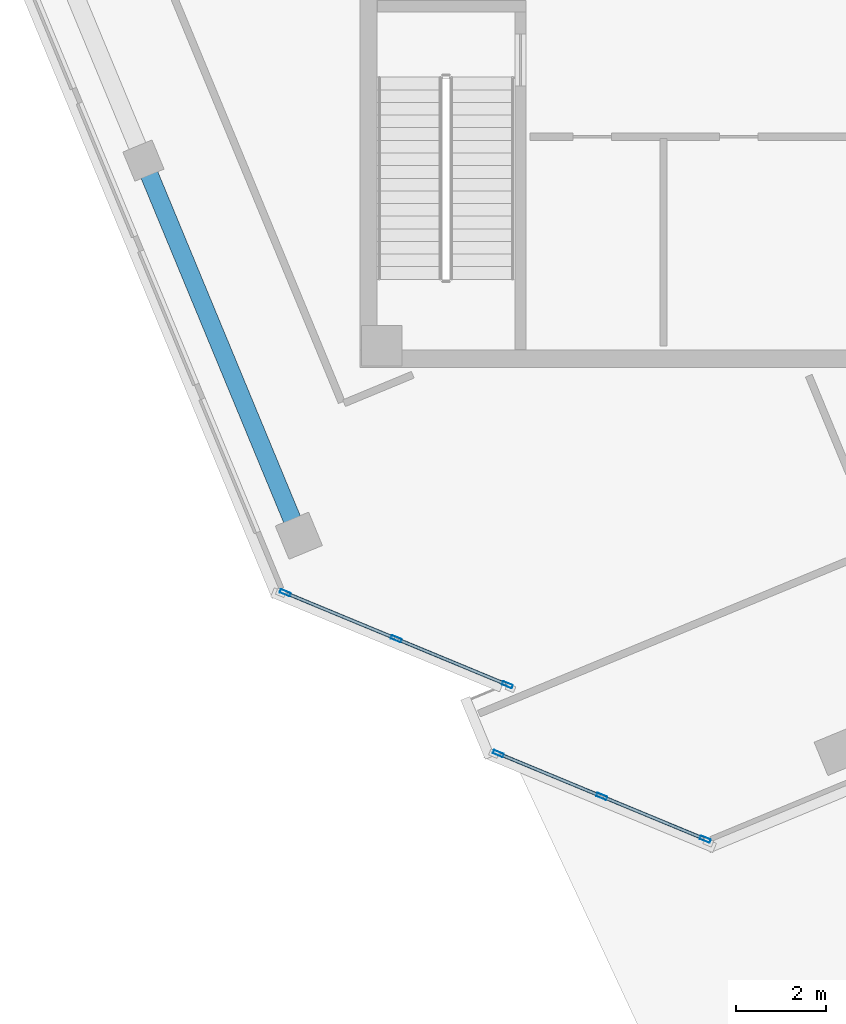
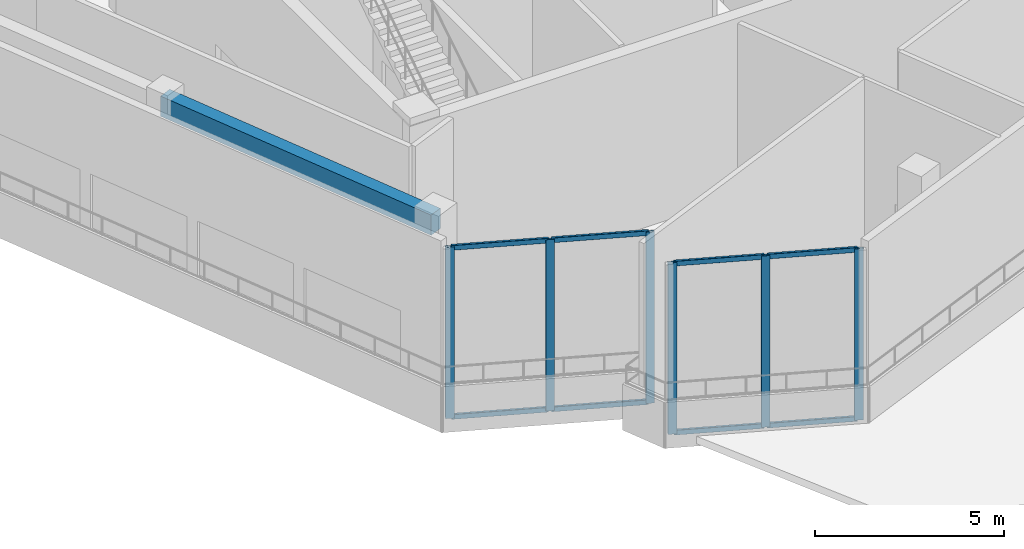
# One storey, part 2 of 16: 14 members, 1 beam, 2 elements without a shape of their own.
"""IFC4 building model written with IfcOpenShell, lengths in metres."""

from ifc_helpers import new_model, si_unit, direction, frame, origin, origin_2d, place, context, subcontext, project, spatial, rectangle, hollow_rectangle, extrude, source, transform, mapped, material, material_profile, profile_set, type_object, element, aggregate, save


model = new_model("IFC4")

# Units and contexts
model_context = context("Model", 3, precision=1e-05, world=origin(), true_north=direction((0.0, 1.0)))
body_context = subcontext(model_context, "Body", "Model", "MODEL_VIEW")
ifc_project = project(units=[si_unit("LENGTHUNIT", "METRE"), si_unit("AREAUNIT", "SQUARE_METRE"), si_unit("VOLUMEUNIT", "CUBIC_METRE"), si_unit("PLANEANGLEUNIT", "RADIAN"), si_unit("MASSUNIT", "GRAM", prefix="KILO")], contexts=[model_context])

# Site, building, storey
site_placement = place(None, origin())
site = spatial("IfcSite", under=ifc_project, at=site_placement, CompositionType="ELEMENT")
building_placement = place(site_placement, origin())
building = spatial("IfcBuilding", under=site, at=building_placement, Name="Torre Montelarca", CompositionType="ELEMENT")
storey_placement = place(building_placement, frame((0.0, 0.0, 349.199951171875)))
storey = spatial("IfcBuildingStorey", under=building, at=storey_placement, Name="L79", CompositionType="ELEMENT", Elevation=349.199951171875)

# Beam
ifc_material_1 = material(Name="Concrete C40/50", Category="concrete")
ifc_material_profile_1 = material_profile(ifc_material_1, rectangle(XDim=0.39990234375, YDim=0.64990234375, at=origin_2d()), Name="RCB400X650", Category="concrete")
ifc_profile_set_1 = profile_set([ifc_material_profile_1], Name="Concrete C40/50")
beam_type = type_object("IfcBeamType", Name="BM-SP-RC650-EXT", PredefinedType="SPANDREL", material=ifc_profile_set_1)
shared_shape_1 = source(origin(), body_context, "Body", "SweptSolid", [
    extrude(rectangle(XDim=0.39990234375, YDim=0.64990234375, at=origin_2d()), origin(), (0.0, 0.0, 1.0), 9.0),
])
beam_placement = place(storey_placement, frame((4.27001953125, 28.6513671875, 5.43505859375), z_axis=(0.382676821686, -0.923882270716, 0.0), x_axis=(0.923882270716, 0.382676821686, 0.0)))
element("IfcBeam", 1, at=beam_placement, inside=storey, type_object=beam_type, Name="L79 Grid Girder X 18.0-27.0 at Y=14.8", PredefinedType="SPANDREL", context=body_context, shape_type="MappedRepresentation", body=[
    mapped(shared_shape_1, transform((0.0, 0.0, 0.0), scale=1.0)),
])

# Curtain wall, members
ifc_material_2 = material(Name="Amber translucent laminated glass", Category="glass")
curtain_wall_type = type_object("IfcCurtainWallType", Name="CW-SYS-LANT", PredefinedType="USERDEFINED", material=ifc_material_2)
curtain_wall_1_placement = place(storey_placement, origin())
curtain_wall_1 = element("IfcCurtainWall", 2, at=curtain_wall_1_placement, inside=storey, type_object=curtain_wall_type, Name="L79 Curtain Wall Run CW-T3-L79-E02-B1", ObjectType="TRANSLUCENT LANTERN", PredefinedType="USERDEFINED")
ifc_material_3 = material(Name="Anodised aluminium AA 6063-T6", Category="aluminium")
ifc_material_profile_2 = material_profile(ifc_material_3, hollow_rectangle(XDim=0.080078125, YDim=0.239990234375, WallThickness=0.0048828125, InnerFilletRadius=0.0048828125, OuterFilletRadius=0.010009765625, at=origin_2d()), Name="ALU80X240X5", Category="aluminium")
ifc_profile_set_2 = profile_set([ifc_material_profile_2], Name="Anodised aluminium AA 6063-T6")
member_type_1 = type_object("IfcMemberType", Name="CWM-ALU240", PredefinedType="MULLION", material=ifc_profile_set_2)
shared_shape_2 = source(origin(), body_context, "Body", "SweptSolid", [
    extrude(hollow_rectangle(XDim=0.080078125, YDim=0.239990234375, WallThickness=0.0048828125, InnerFilletRadius=0.0048828125, OuterFilletRadius=0.010009765625, at=origin_2d()), origin(), (0.0, 0.0, 1.0), 5.52001953125),
])
member_1_placement = place(storey_placement, frame((7.412841796875, 19.0712890625, 0.0), z_axis=(0.0, 0.0, 1.0), x_axis=(0.382664147931, 0.923887520149, 0.0)))
member_1 = element("IfcMember", 3, at=member_1_placement, type_object=member_type_1, Name="CW mullion 1", PredefinedType="MULLION", context=body_context, shape_type="MappedRepresentation", body=[
    mapped(shared_shape_2, transform((0.0, 0.0, 0.0), scale=1.0)),
])
member_2_placement = place(storey_placement, frame((9.875, 18.051513671875, 0.0), z_axis=(0.0, 0.0, 1.0), x_axis=(0.382664147931, 0.923887520149, 0.0)))
member_2 = element("IfcMember", 4, at=member_2_placement, type_object=member_type_1, Name="CW mullion 2", PredefinedType="MULLION", context=body_context, shape_type="MappedRepresentation", body=[
    mapped(shared_shape_2, transform((0.0, 0.0, 0.0), scale=1.0)),
])
member_3_placement = place(storey_placement, frame((12.337158203125, 17.031494140625, 0.0), z_axis=(0.0, 0.0, 1.0), x_axis=(0.382664147931, 0.923887520149, 0.0)))
member_3 = element("IfcMember", 5, at=member_3_placement, type_object=member_type_1, Name="CW mullion 3", PredefinedType="MULLION", context=body_context, shape_type="MappedRepresentation", body=[
    mapped(shared_shape_2, transform((0.0, 0.0, 0.0), scale=1.0)),
])

curtain_wall_2_placement = place(storey_placement, origin())
curtain_wall_2 = element("IfcCurtainWall", 6, at=curtain_wall_2_placement, inside=storey, type_object=curtain_wall_type, Name="L79 Curtain Wall Run CW-T3-L79-E05-B1", ObjectType="TRANSLUCENT LANTERN", PredefinedType="USERDEFINED")
member_4_placement = place(storey_placement, frame((12.13623046875, 15.507568359375, 0.0), z_axis=(0.0, 0.0, 1.0), x_axis=(0.382671166306, 0.923884613184, 0.0)))
member_4 = element("IfcMember", 7, at=member_4_placement, type_object=member_type_1, Name="CW mullion 1", PredefinedType="MULLION", context=body_context, shape_type="MappedRepresentation", body=[
    mapped(shared_shape_2, transform((0.0, 0.0, 0.0), scale=1.0)),
])
member_5_placement = place(storey_placement, frame((14.428466796875, 14.55810546875, 0.0), z_axis=(0.0, 0.0, 1.0), x_axis=(0.382671166306, 0.923884613184, 0.0)))
member_5 = element("IfcMember", 8, at=member_5_placement, type_object=member_type_1, Name="CW mullion 2", PredefinedType="MULLION", context=body_context, shape_type="MappedRepresentation", body=[
    mapped(shared_shape_2, transform((0.0, 0.0, 0.0), scale=1.0)),
])
member_6_placement = place(storey_placement, frame((16.720703125, 13.608642578125, 0.0), z_axis=(0.0, 0.0, 1.0), x_axis=(0.382671166306, 0.923884613184, 0.0)))
member_6 = element("IfcMember", 9, at=member_6_placement, type_object=member_type_1, Name="CW mullion 3", PredefinedType="MULLION", context=body_context, shape_type="MappedRepresentation", body=[
    mapped(shared_shape_2, transform((0.0, 0.0, 0.0), scale=1.0)),
])

# Member
ifc_material_profile_3 = material_profile(ifc_material_3, hollow_rectangle(XDim=0.074951171875, YDim=0.159912109375, WallThickness=0.0048828125, InnerFilletRadius=0.0048828125, OuterFilletRadius=0.010009765625, at=origin_2d()), Name="ALU75X160X5", Category="aluminium")
ifc_profile_set_3 = profile_set([ifc_material_profile_3], Name="Anodised aluminium AA 6063-T6")
member_type_2 = type_object("IfcMemberType", Name="CWT-ALU160", PredefinedType="USERDEFINED", material=ifc_profile_set_3)
shared_shape_3 = source(origin(), body_context, "Body", "SweptSolid", [
    extrude(hollow_rectangle(XDim=0.074951171875, YDim=0.159912109375, WallThickness=0.0048828125, InnerFilletRadius=0.0048828125, OuterFilletRadius=0.010009765625, at=origin_2d()), origin(), (0.0, 0.0, 1.0), 2.5849609375),
])
member_7_placement = place(storey_placement, frame((7.44970703125, 19.055908203125, 0.03759765625), z_axis=(0.923874091792, -0.382696567158, 0.0), x_axis=(0.382696567158, 0.923874091792, 0.0)))
member_7 = element("IfcMember", 10, at=member_7_placement, type_object=member_type_2, Name="CW transom 1.1", ObjectType="TRANSOM", PredefinedType="USERDEFINED", context=body_context, shape_type="MappedRepresentation", body=[
    mapped(shared_shape_3, transform((0.0, 0.0, 0.0), scale=1.0)),
])

member_8_placement = place(storey_placement, frame((7.44970703125, 19.055908203125, 5.482666015625), z_axis=(0.923874091792, -0.382696567158, 0.0), x_axis=(0.382696567158, 0.923874091792, 0.0)))
member_8 = element("IfcMember", 11, at=member_8_placement, type_object=member_type_2, Name="CW transom 1.2", ObjectType="TRANSOM", PredefinedType="USERDEFINED", context=body_context, shape_type="MappedRepresentation", body=[
    mapped(shared_shape_3, transform((0.0, 0.0, 0.0), scale=1.0)),
])

member_9_placement = place(storey_placement, frame((9.911865234375, 18.0361328125, 0.03759765625), z_axis=(0.923874091792, -0.382696567158, 0.0), x_axis=(0.382696567158, 0.923874091792, 0.0)))
member_9 = element("IfcMember", 12, at=member_9_placement, type_object=member_type_2, Name="CW transom 2.1", ObjectType="TRANSOM", PredefinedType="USERDEFINED", context=body_context, shape_type="MappedRepresentation", body=[
    mapped(shared_shape_3, transform((0.0, 0.0, 0.0), scale=1.0)),
])

member_10_placement = place(storey_placement, frame((9.911865234375, 18.0361328125, 5.482666015625), z_axis=(0.923874091792, -0.382696567158, 0.0), x_axis=(0.382696567158, 0.923874091792, 0.0)))
member_10 = element("IfcMember", 13, at=member_10_placement, type_object=member_type_2, Name="CW transom 2.2", ObjectType="TRANSOM", PredefinedType="USERDEFINED", context=body_context, shape_type="MappedRepresentation", body=[
    mapped(shared_shape_3, transform((0.0, 0.0, 0.0), scale=1.0)),
])

aggregate(curtain_wall_1, [member_1, member_2, member_3, member_7, member_8, member_9, member_10])

shared_shape_4 = source(origin(), body_context, "Body", "SweptSolid", [
    extrude(hollow_rectangle(XDim=0.074951171875, YDim=0.159912109375, WallThickness=0.0048828125, InnerFilletRadius=0.0048828125, OuterFilletRadius=0.010009765625, at=origin_2d()), origin(), (0.0, 0.0, 1.0), 2.401123046875),
])
member_11_placement = place(storey_placement, frame((12.173095703125, 15.4921875, 0.03759765625), z_axis=(0.92386315418, -0.382722970761, 0.0), x_axis=(0.382722970761, 0.92386315418, 0.0)))
member_11 = element("IfcMember", 14, at=member_11_placement, type_object=member_type_2, Name="CW transom 1.1", ObjectType="TRANSOM", PredefinedType="USERDEFINED", context=body_context, shape_type="MappedRepresentation", body=[
    mapped(shared_shape_4, transform((0.0, 0.0, 0.0), scale=1.0)),
])

member_12_placement = place(storey_placement, frame((12.173095703125, 15.4921875, 5.482666015625), z_axis=(0.92386315418, -0.382722970761, 0.0), x_axis=(0.382722970761, 0.92386315418, 0.0)))
member_12 = element("IfcMember", 15, at=member_12_placement, type_object=member_type_2, Name="CW transom 1.2", ObjectType="TRANSOM", PredefinedType="USERDEFINED", context=body_context, shape_type="MappedRepresentation", body=[
    mapped(shared_shape_4, transform((0.0, 0.0, 0.0), scale=1.0)),
])

shared_shape_5 = source(origin(), body_context, "Body", "SweptSolid", [
    extrude(hollow_rectangle(XDim=0.074951171875, YDim=0.159912109375, WallThickness=0.0048828125, InnerFilletRadius=0.0048828125, OuterFilletRadius=0.010009765625, at=origin_2d()), origin(), (0.0, 0.0, 1.0), 2.40087890625),
])
member_13_placement = place(storey_placement, frame((14.46533203125, 14.542724609375, 0.03759765625), z_axis=(0.923899103837, -0.382636179588, 0.0), x_axis=(0.382636179588, 0.923899103837, 0.0)))
member_13 = element("IfcMember", 16, at=member_13_placement, type_object=member_type_2, Name="CW transom 2.1", ObjectType="TRANSOM", PredefinedType="USERDEFINED", context=body_context, shape_type="MappedRepresentation", body=[
    mapped(shared_shape_5, transform((0.0, 0.0, 0.0), scale=1.0)),
])

member_14_placement = place(storey_placement, frame((14.46533203125, 14.542724609375, 5.482666015625), z_axis=(0.923899103837, -0.382636179588, 0.0), x_axis=(0.382636179588, 0.923899103837, 0.0)))
member_14 = element("IfcMember", 17, at=member_14_placement, type_object=member_type_2, Name="CW transom 2.2", ObjectType="TRANSOM", PredefinedType="USERDEFINED", context=body_context, shape_type="MappedRepresentation", body=[
    mapped(shared_shape_5, transform((0.0, 0.0, 0.0), scale=1.0)),
])

aggregate(curtain_wall_2, [member_4, member_5, member_6, member_11, member_12, member_13, member_14])

save(model, "model.ifc")
